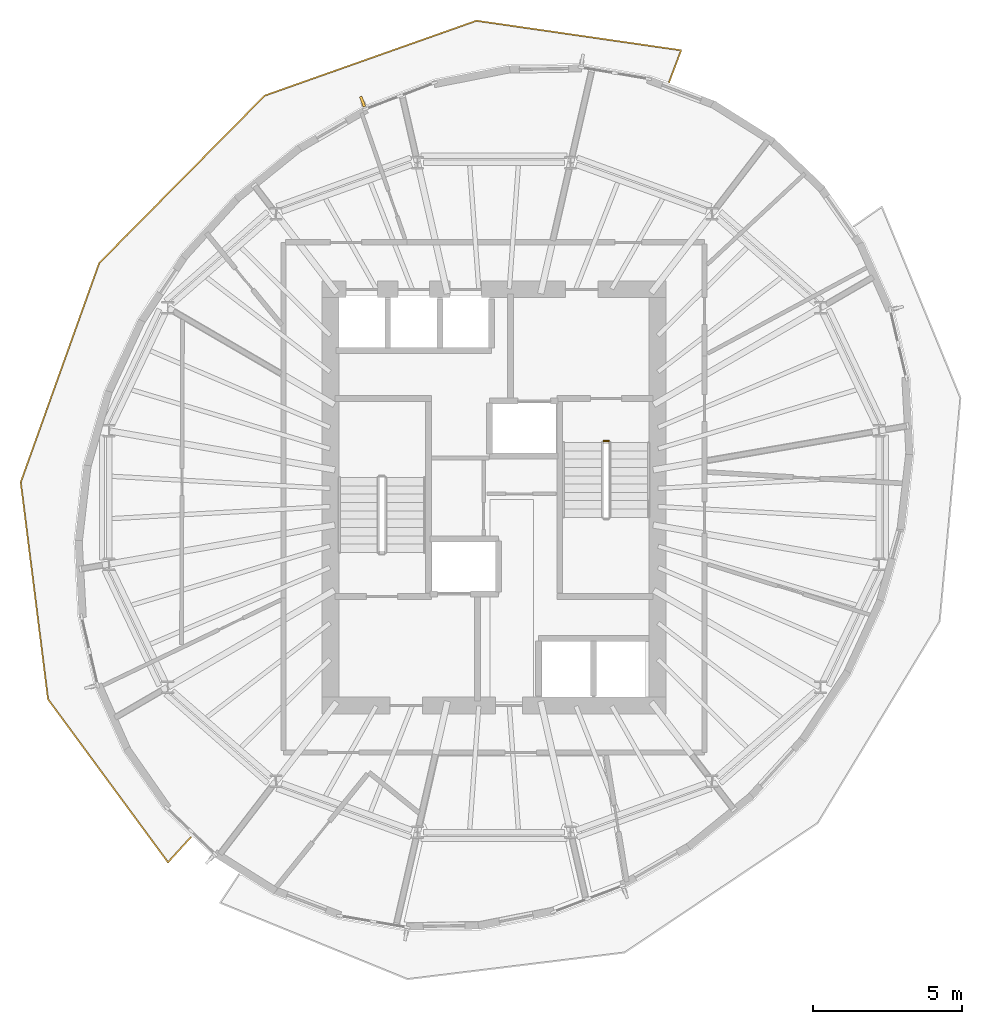
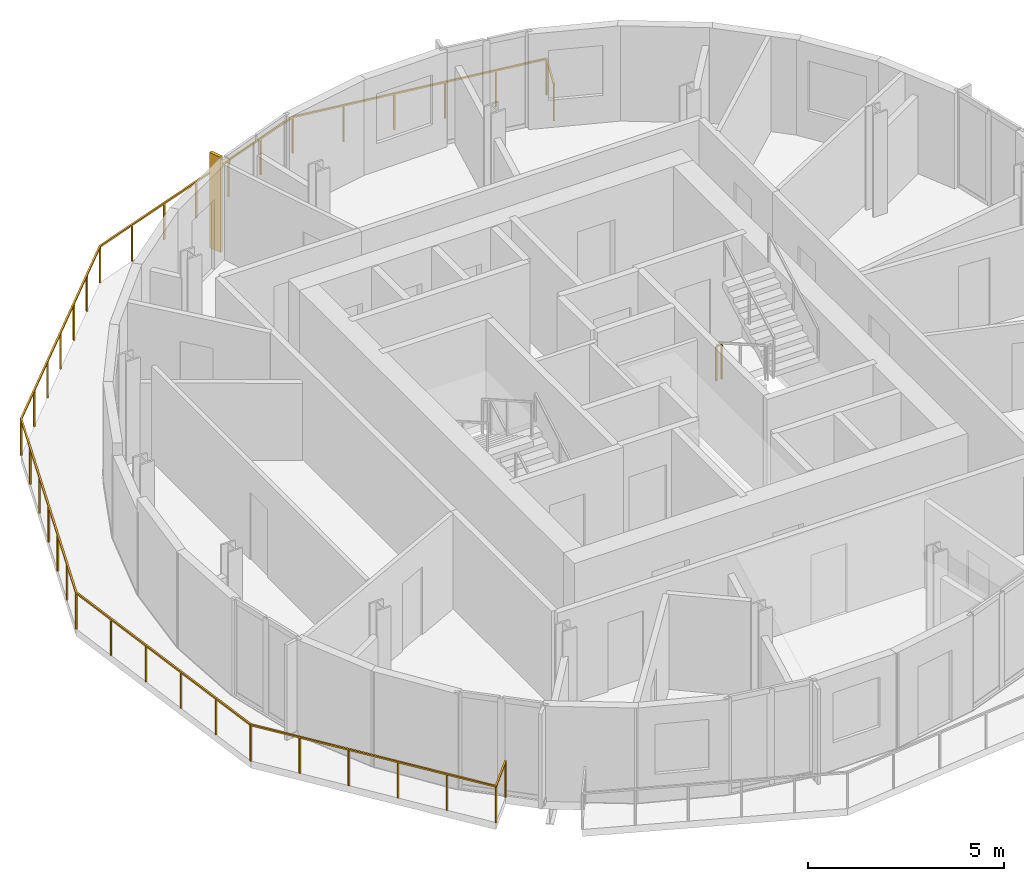
# One storey, part 10 of 11: 2 railings, 1 shading device.
"""IFC4 building model written with IfcOpenShell, lengths in metres."""

import ifcopenshell
import ifcopenshell.guid

model = None  # the IFC model being written
_history = None  # IfcOwnerHistory: only IFC2X3 demands one
_inside = {}  # id of a spatial element -> (the spatial element, [elements in it])
_under = {}  # id of a project, library or spatial element -> (it, [spatial elements below it])
_declared = {}  # id of a project -> (the project, [libraries it declares])
_typed = {}  # id of a type object -> (the type object, [elements of that type])
_made_of = {}  # id of a material, layer set ... -> (it, [elements and type objects made of it])


def new_model(schema):
    """Start an empty IFC model of exactly this schema.

    Asked for "IFC4X3", IfcOpenShell would pick the latest addendum, in which some entities
    have other attributes; the version numbers below select the first issue.
    IFC2X3 requires an IfcOwnerHistory on every rooted entity: one is made here for all.
    """
    global model, _history
    if schema == "IFC4X3":
        model = ifcopenshell.file(schema_version=(4, 3, 0, 0))
    else:
        model = ifcopenshell.file(schema=schema)
    _inside.clear()
    _under.clear()
    _declared.clear()
    _typed.clear()
    _made_of.clear()
    _history = None
    if model.schema == "IFC2X3":
        org = make("IfcOrganization", Name="unknown")
        user = make(
            "IfcPersonAndOrganization",
            ThePerson=make("IfcPerson", FamilyName="unknown"),
            TheOrganization=org,
        )
        app = make(
            "IfcApplication",
            ApplicationDeveloper=org,
            Version="unknown",
            ApplicationFullName="unknown",
            ApplicationIdentifier="unknown",
        )
        _history = make(
            "IfcOwnerHistory",
            OwningUser=user,
            OwningApplication=app,
            ChangeAction="ADDED",
            CreationDate=0,
        )
    return model


def make(cls, **values):
    """One entity of the class cls with the attributes given. An attribute that is None is left unset."""
    return model.create_entity(
        cls, **{name: value for name, value in values.items() if value is not None}
    )


def rooted(cls, **values):
    """An entity with a GlobalId (a new one), such as an element, a storey or a relation."""
    return make(cls, GlobalId=ifcopenshell.guid.new(), OwnerHistory=_history, **values)


def si_unit(unit_type, name, prefix=None):
    """IfcSIUnit, for example si_unit("LENGTHUNIT", "METRE", prefix="MILLI")."""
    return make("IfcSIUnit", UnitType=unit_type, Prefix=prefix, Name=name)


def assignment(units):
    """IfcUnitAssignment: the units of a project."""
    return None if units is None else make("IfcUnitAssignment", Units=units)


def point(xyz):
    """IfcCartesianPoint."""
    return None if xyz is None else make("IfcCartesianPoint", Coordinates=xyz)


def direction(xyz):
    """IfcDirection."""
    return None if xyz is None else make("IfcDirection", DirectionRatios=xyz)


def frame(location, z_axis=None, x_axis=None):
    """IfcAxis2Placement3D, a coordinate frame: its origin and axes. An axis left out is left unset."""
    return make(
        "IfcAxis2Placement3D",
        Location=point(location),
        Axis=direction(z_axis),
        RefDirection=direction(x_axis),
    )


def frame_2d(location, x_axis=None):
    """IfcAxis2Placement2D, a coordinate frame in the plane: its origin and x axis."""
    return make(
        "IfcAxis2Placement2D", Location=point(location), RefDirection=direction(x_axis)
    )


def origin():
    """The frame at (0, 0, 0) with its axes left unset."""
    return frame((0.0, 0.0, 0.0))


def origin_2d():
    """The frame at (0, 0) in the plane with its x axis left unset."""
    return frame_2d((0.0, 0.0))


def place(relative_to, where):
    """IfcLocalPlacement: puts the frame where relative to a parent placement (None: the world)."""
    return make(
        "IfcLocalPlacement", PlacementRelTo=relative_to, RelativePlacement=where
    )


def context(
    kind, dimensions, precision=None, world=None, true_north=None, identifier=None
):
    """IfcGeometricRepresentationContext, for example the 3D "Model" context."""
    return make(
        "IfcGeometricRepresentationContext",
        ContextIdentifier=identifier,
        ContextType=kind,
        CoordinateSpaceDimension=dimensions,
        Precision=precision,
        WorldCoordinateSystem=world,
        TrueNorth=true_north,
    )


def subcontext(parent, identifier, kind, view, scale=None):
    """IfcGeometricRepresentationSubContext, for example "Body" below "Model"."""
    return make(
        "IfcGeometricRepresentationSubContext",
        ContextIdentifier=identifier,
        ContextType=kind,
        ParentContext=parent,
        TargetScale=scale,
        TargetView=view,
    )


def project(units=None, contexts=None):
    """IfcProject with its units and contexts."""
    return rooted(
        "IfcProject",
        Name="project",
        RepresentationContexts=contexts,
        UnitsInContext=assignment(units),
    )


def spatial(cls, under=None, at=None, **own):
    """A site, building, storey or space (cls), placed at a placement, below another one or the project."""
    s = rooted(cls, ObjectPlacement=at, **own)
    if under is not None:
        _under.setdefault(under.id(), (under, []))[1].append(s)
    return s


def profile(cls, at=None, kind="AREA", **sizes):
    """A parametric profile (cls). Its sizes go by their IFC names, for example OverallWidth=200.0."""
    return make(cls, ProfileType=kind, Position=at, **sizes)


def rectangle(**sizes):
    """IfcRectangleProfileDef."""
    return profile("IfcRectangleProfileDef", **sizes)


def extrude(swept, where, along, depth):
    """IfcExtrudedAreaSolid: the profile swept, set in the frame where, extruded along a direction by depth."""
    return make(
        "IfcExtrudedAreaSolid",
        SweptArea=swept,
        Position=where,
        ExtrudedDirection=direction(along),
        Depth=depth,
    )


def shape(context_of_items, identifier, shape_type, items):
    """IfcShapeRepresentation: the items that make up one representation, for example the "Body"."""
    return make(
        "IfcShapeRepresentation",
        ContextOfItems=context_of_items,
        RepresentationIdentifier=identifier,
        RepresentationType=shape_type,
        Items=items,
    )


def material(Name=None, Category=None):
    """IfcMaterial."""
    return make("IfcMaterial", Name=Name, Category=Category)


def layer(
    of_material, thickness, ventilated=None, Name=None, Category=None, Priority=None
):
    """IfcMaterialLayer: one layer of a wall or slab, of a material (None: an air gap)."""
    return make(
        "IfcMaterialLayer",
        Material=of_material,
        LayerThickness=thickness,
        IsVentilated=ventilated,
        Name=Name,
        Category=Category,
        Priority=Priority,
    )


def layer_set(layers, Name=None):
    """IfcMaterialLayerSet."""
    return make("IfcMaterialLayerSet", MaterialLayers=layers, LayerSetName=Name)


def made_of(thing, what):
    """Note that an element or type object is made of a material, layer set ...; save() writes the relation."""
    if what is not None:
        _made_of.setdefault(what.id(), (what, []))[1].append(thing)
    return thing


def type_object(cls, material=None, **own):
    """A type object (cls), such as IfcWallType, which elements share."""
    return made_of(rooted(cls, **own), material)


def element(
    cls,
    number,
    at=None,
    inside=None,
    cuts=None,
    type_object=None,
    material=None,
    context=None,
    identifier="Body",
    shape_type=None,
    held_by="IfcProductDefinitionShape",
    body=None,
    shapes=None,
    **own,
):
    """One element of the class cls, such as IfcWall. Its Tag is "e" and its number.

    at: its placement. inside: the storey or other place that contains it. cuts: it is an
    opening in that element (IfcRelVoidsElement). A single representation is given by context,
    identifier, shape_type and body (its items); several are given by shapes. held_by: the class
    of the entity that holds the representations. save() writes the other relations.
    """
    e = rooted(cls, Tag="e%d" % number, ObjectPlacement=at, **own)
    if body is not None:
        shapes = [shape(context, identifier, shape_type, body)]
    if shapes is not None:
        e.Representation = make(held_by, Representations=shapes)
    if inside is not None:
        _inside.setdefault(inside.id(), (inside, []))[1].append(e)
    if cuts is not None:
        rooted(
            "IfcRelVoidsElement", RelatingBuildingElement=cuts, RelatedOpeningElement=e
        )
    if type_object is not None:
        _typed.setdefault(type_object.id(), (type_object, []))[1].append(e)
    return made_of(e, material)


def aggregate(whole, parts):
    """IfcRelAggregates: a whole, such as a stair, and the parts it consists of."""
    return rooted("IfcRelAggregates", RelatingObject=whole, RelatedObjects=parts)


def save(model, path):
    """Write the relations noted so far, then the file.

    IfcRelAggregates (storeys below a building ...), IfcRelContainedInSpatialStructure (elements
    in a storey), IfcRelDefinesByType, IfcRelAssociatesMaterial and IfcRelDeclares: one each for
    every whole, place, type object, material and project.
    """
    for whole, parts in _under.values():
        aggregate(whole, parts)
    for where, things in _inside.values():
        rooted(
            "IfcRelContainedInSpatialStructure",
            RelatedElements=things,
            RelatingStructure=where,
        )
    for kind, things in _typed.values():
        rooted("IfcRelDefinesByType", RelatedObjects=things, RelatingType=kind)
    for what, things in _made_of.values():
        rooted("IfcRelAssociatesMaterial", RelatedObjects=things, RelatingMaterial=what)
    for by, libraries in _declared.values():
        rooted("IfcRelDeclares", RelatingContext=by, RelatedDefinitions=libraries)
    model.write(path)


model = new_model("IFC4")

# Units and contexts
model_context = context("Model", 3, precision=1e-05, world=origin(), true_north=direction((0.0, 1.0)))
body_context = subcontext(model_context, "Body", "Model", "MODEL_VIEW")
ifc_project = project(units=[si_unit("LENGTHUNIT", "METRE"), si_unit("AREAUNIT", "SQUARE_METRE"), si_unit("VOLUMEUNIT", "CUBIC_METRE"), si_unit("PLANEANGLEUNIT", "RADIAN"), si_unit("MASSUNIT", "GRAM", prefix="KILO")], contexts=[model_context])

# Site, building, storey
site_placement = place(None, origin())
site = spatial("IfcSite", under=ifc_project, at=site_placement, CompositionType="ELEMENT")
building_placement = place(site_placement, origin())
building = spatial("IfcBuilding", under=site, at=building_placement, Name="Veldorim Arch Residences", CompositionType="ELEMENT")
storey_placement = place(building_placement, frame((0.0, 0.0, 207.840087890625)))
storey = spatial("IfcBuildingStorey", under=building, at=storey_placement, Name="L62", CompositionType="ELEMENT", Elevation=207.840087890625)

# Railings
ifc_material_1 = material(Name="Aluminium", Category="aluminium")
railing_type_1 = type_object("IfcRailingType", Name="Balcony & Terrace Laminated Glass Balustrade 1150", PredefinedType="BALUSTRADE", material=ifc_material_1)
railing_1_placement = place(storey_placement, frame((37.8857421875, 37.966064453125, 0.0)))
element("IfcRailing", 1, at=railing_1_placement, inside=storey, type_object=railing_type_1, Name="L62 crescent balcony safety balustrade A", PredefinedType="BALUSTRADE", context=body_context, shape_type="SweptSolid", body=[
    extrude(rectangle(XDim=0.048095703125, YDim=0.048095703125, at=origin_2d()), frame((0.0, 0.0, 1.1259765625), z_axis=(0.353751531155, 0.935339432616, 0.0), x_axis=(-0.935339432616, 0.353751531155, 0.0)), (0.0, 0.0, 1.0), 1.14990234375),
    extrude(rectangle(XDim=0.048095703125, YDim=0.048095703125, at=origin_2d()), frame((0.40673828125, 1.075439453125, 1.1259765625), z_axis=(-0.98971511032, 0.14305243935, 0.0), x_axis=(-0.14305243935, -0.98971511032, 0.0)), (0.0, 0.0, 1.0), 6.956298828125),
    extrude(rectangle(XDim=0.048095703125, YDim=0.048095703125, at=origin_2d()), frame((-6.47802734375, 2.070556640625, 1.1259765625), z_axis=(-0.942767602072, -0.333450518793, 0.0), x_axis=(0.333450518793, -0.942767602072, 0.0)), (0.0, 0.0, 1.0), 7.55517578125),
    extrude(rectangle(XDim=0.048095703125, YDim=0.048095703125, at=origin_2d()), frame((-13.600830078125, -0.44873046875, 1.1259765625), z_axis=(-0.702994630596, -0.711195155603, 0.0), x_axis=(0.711195155603, -0.702994630596, 0.0)), (0.0, 0.0, 1.0), 7.919189453125),
    extrude(rectangle(XDim=0.048095703125, YDim=0.048095703125, at=origin_2d()), frame((-19.16796875, -6.080810546875, 1.1259765625), z_axis=(-0.337025527317, -0.941495509249, 0.0), x_axis=(0.941495509249, -0.337025527317, 0.0)), (0.0, 0.0, 1.0), 7.83154296875),
    extrude(rectangle(XDim=0.048095703125, YDim=0.048095703125, at=origin_2d()), frame((-21.807373046875, -13.4541015625, 1.1259765625), z_axis=(0.124876063506, -0.992172348316, 0.0), x_axis=(0.992172348316, 0.124876063506, 0.0)), (0.0, 0.0, 1.0), 7.35693359375),
    extrude(rectangle(XDim=0.048095703125, YDim=0.048095703125, at=origin_2d()), frame((-20.888671875, -20.75341796875, 1.1259765625), z_axis=(0.592614255681, -0.805486402098, 0.0), x_axis=(0.805486402098, 0.592614255681, 0.0)), (0.0, 0.0, 1.0), 6.80908203125),
    extrude(rectangle(XDim=0.048095703125, YDim=0.048095703125, at=origin_2d()), frame((-16.853515625, -26.238037109375, 1.1259765625), z_axis=(0.67321153756, 0.739449948067, 0.0), x_axis=(-0.739449948067, 0.67321153756, 0.0)), (0.0, 0.0, 1.0), 1.14990234375),
    extrude(rectangle(XDim=0.0419921875, YDim=0.0419921875, at=origin_2d()), origin(), (0.0, 0.0, 1.0), 1.101806640625),
    extrude(rectangle(XDim=0.0419921875, YDim=0.0419921875, at=origin_2d()), frame((0.40673828125, 1.075439453125, 0.0)), (0.0, 0.0, 1.0), 1.101806640625),
    extrude(rectangle(XDim=0.0419921875, YDim=0.0419921875, at=origin_2d()), frame((-0.97021484375, 1.2744140625, 0.0)), (0.0, 0.0, 1.0), 1.101806640625),
    extrude(rectangle(XDim=0.0419921875, YDim=0.0419921875, at=origin_2d()), frame((-2.34716796875, 1.473388671875, 0.0)), (0.0, 0.0, 1.0), 1.101806640625),
    extrude(rectangle(XDim=0.0419921875, YDim=0.0419921875, at=origin_2d()), frame((-3.72412109375, 1.672607421875, 0.0)), (0.0, 0.0, 1.0), 1.101806640625),
    extrude(rectangle(XDim=0.0419921875, YDim=0.0419921875, at=origin_2d()), frame((-5.10107421875, 1.87158203125, 0.0)), (0.0, 0.0, 1.0), 1.101806640625),
    extrude(rectangle(XDim=0.0419921875, YDim=0.0419921875, at=origin_2d()), frame((-6.47802734375, 2.070556640625, 0.0)), (0.0, 0.0, 1.0), 1.101806640625),
    extrude(rectangle(XDim=0.0419921875, YDim=0.0419921875, at=origin_2d()), frame((-7.6650390625, 1.650634765625, 0.0)), (0.0, 0.0, 1.0), 1.101806640625),
    extrude(rectangle(XDim=0.0419921875, YDim=0.0419921875, at=origin_2d()), frame((-8.852294921875, 1.230712890625, 0.0)), (0.0, 0.0, 1.0), 1.101806640625),
    extrude(rectangle(XDim=0.0419921875, YDim=0.0419921875, at=origin_2d()), frame((-10.03955078125, 0.81103515625, 0.0)), (0.0, 0.0, 1.0), 1.101806640625),
    extrude(rectangle(XDim=0.0419921875, YDim=0.0419921875, at=origin_2d()), frame((-11.2265625, 0.39111328125, 0.0)), (0.0, 0.0, 1.0), 1.101806640625),
    extrude(rectangle(XDim=0.0419921875, YDim=0.0419921875, at=origin_2d()), frame((-12.41357421875, -0.02880859375, 0.0)), (0.0, 0.0, 1.0), 1.101806640625),
    extrude(rectangle(XDim=0.0419921875, YDim=0.0419921875, at=origin_2d()), frame((-13.600830078125, -0.44873046875, 0.0)), (0.0, 0.0, 1.0), 1.101806640625),
    extrude(rectangle(XDim=0.0419921875, YDim=0.0419921875, at=origin_2d()), frame((-14.52880859375, -1.387451171875, 0.0)), (0.0, 0.0, 1.0), 1.101806640625),
    extrude(rectangle(XDim=0.0419921875, YDim=0.0419921875, at=origin_2d()), frame((-15.45654296875, -2.326171875, 0.0)), (0.0, 0.0, 1.0), 1.101806640625),
    extrude(rectangle(XDim=0.0419921875, YDim=0.0419921875, at=origin_2d()), frame((-16.38427734375, -3.2646484375, 0.0)), (0.0, 0.0, 1.0), 1.101806640625),
    extrude(rectangle(XDim=0.0419921875, YDim=0.0419921875, at=origin_2d()), frame((-17.312255859375, -4.203369140625, 0.0)), (0.0, 0.0, 1.0), 1.101806640625),
    extrude(rectangle(XDim=0.0419921875, YDim=0.0419921875, at=origin_2d()), frame((-18.240234375, -5.14208984375, 0.0)), (0.0, 0.0, 1.0), 1.101806640625),
    extrude(rectangle(XDim=0.0419921875, YDim=0.0419921875, at=origin_2d()), frame((-19.16796875, -6.080810546875, 0.0)), (0.0, 0.0, 1.0), 1.101806640625),
    extrude(rectangle(XDim=0.0419921875, YDim=0.0419921875, at=origin_2d()), frame((-19.60791015625, -7.3095703125, 0.0)), (0.0, 0.0, 1.0), 1.101806640625),
    extrude(rectangle(XDim=0.0419921875, YDim=0.0419921875, at=origin_2d()), frame((-20.0478515625, -8.53857421875, 0.0)), (0.0, 0.0, 1.0), 1.101806640625),
    extrude(rectangle(XDim=0.0419921875, YDim=0.0419921875, at=origin_2d()), frame((-20.48779296875, -9.767578125, 0.0)), (0.0, 0.0, 1.0), 1.101806640625),
    extrude(rectangle(XDim=0.0419921875, YDim=0.0419921875, at=origin_2d()), frame((-20.927490234375, -10.996337890625, 0.0)), (0.0, 0.0, 1.0), 1.101806640625),
    extrude(rectangle(XDim=0.0419921875, YDim=0.0419921875, at=origin_2d()), frame((-21.367431640625, -12.22509765625, 0.0)), (0.0, 0.0, 1.0), 1.101806640625),
    extrude(rectangle(XDim=0.0419921875, YDim=0.0419921875, at=origin_2d()), frame((-21.807373046875, -13.4541015625, 0.0)), (0.0, 0.0, 1.0), 1.101806640625),
    extrude(rectangle(XDim=0.0419921875, YDim=0.0419921875, at=origin_2d()), frame((-21.62353515625, -14.9140625, 0.0)), (0.0, 0.0, 1.0), 1.101806640625),
    extrude(rectangle(XDim=0.0419921875, YDim=0.0419921875, at=origin_2d()), frame((-21.43994140625, -16.373779296875, 0.0)), (0.0, 0.0, 1.0), 1.101806640625),
    extrude(rectangle(XDim=0.0419921875, YDim=0.0419921875, at=origin_2d()), frame((-21.256103515625, -17.833740234375, 0.0)), (0.0, 0.0, 1.0), 1.101806640625),
    extrude(rectangle(XDim=0.0419921875, YDim=0.0419921875, at=origin_2d()), frame((-21.072509765625, -19.29345703125, 0.0)), (0.0, 0.0, 1.0), 1.101806640625),
    extrude(rectangle(XDim=0.0419921875, YDim=0.0419921875, at=origin_2d()), frame((-20.888671875, -20.75341796875, 0.0)), (0.0, 0.0, 1.0), 1.101806640625),
    extrude(rectangle(XDim=0.0419921875, YDim=0.0419921875, at=origin_2d()), frame((-20.08154296875, -21.850341796875, 0.0)), (0.0, 0.0, 1.0), 1.101806640625),
    extrude(rectangle(XDim=0.0419921875, YDim=0.0419921875, at=origin_2d()), frame((-19.274658203125, -22.947265625, 0.0)), (0.0, 0.0, 1.0), 1.101806640625),
    extrude(rectangle(XDim=0.0419921875, YDim=0.0419921875, at=origin_2d()), frame((-18.467529296875, -24.044189453125, 0.0)), (0.0, 0.0, 1.0), 1.101806640625),
    extrude(rectangle(XDim=0.0419921875, YDim=0.0419921875, at=origin_2d()), frame((-17.66064453125, -25.14111328125, 0.0)), (0.0, 0.0, 1.0), 1.101806640625),
    extrude(rectangle(XDim=0.0419921875, YDim=0.0419921875, at=origin_2d()), frame((-16.853515625, -26.238037109375, 0.0)), (0.0, 0.0, 1.0), 1.101806640625),
    extrude(rectangle(XDim=0.0419921875, YDim=0.0419921875, at=origin_2d()), frame((-16.079345703125, -25.3876953125, 0.0)), (0.0, 0.0, 1.0), 1.101806640625),
])
ifc_material_2 = material(Name="Steel S355", Category="steel")
railing_type_2 = type_object("IfcRailingType", Name="Galvanised Steel Stair Safety Guardrail 1100", PredefinedType="GUARDRAIL", material=ifc_material_2)
railing_2_placement = place(storey_placement, frame((35.68994140625, 25.89990234375, 0.0)))
element("IfcRailing", 2, at=railing_2_placement, inside=storey, type_object=railing_type_2, Name="L62 ST-2 stair guard 4", PredefinedType="GUARDRAIL", context=body_context, shape_type="SweptSolid", body=[
    extrude(rectangle(XDim=0.048095703125, YDim=0.048095703125, at=origin_2d()), frame((0.0, 0.0, 1.076171875), z_axis=(1.0, 0.0, 0.0), x_axis=(0.0, 1.0, 0.0)), (0.0, 0.0, 1.0), 0.16015625),
    extrude(rectangle(XDim=0.0419921875, YDim=0.0419921875, at=origin_2d()), origin(), (0.0, 0.0, 1.0), 1.052001953125),
    extrude(rectangle(XDim=0.0419921875, YDim=0.0419921875, at=origin_2d()), frame((0.16015625, 0.0, 0.0)), (0.0, 0.0, 1.0), 1.052001953125),
])

# Shading device
ifc_material_3 = material(Name="Terracotta Ceramic", Category="masonry")
ifc_layer = layer(ifc_material_3, 0.090087890625, Name="Vertical Extruded Terracotta Baguette Sun-Shading Fin")
ifc_layer_set = layer_set([ifc_layer], Name="Terracotta Ceramic")
shading_device_type = type_object("IfcShadingDeviceType", Name="Vertical Extruded Terracotta Baguette Sun-Shading Fin", PredefinedType="USERDEFINED", material=ifc_layer_set)
shading_device_placement = place(storey_placement, frame((27.577880859375, 37.31591796875, 0.0), z_axis=(0.0, 0.0, 1.0), x_axis=(0.935135209686, 0.354291037998, 0.0)))
element("IfcShadingDevice", 3, at=shading_device_placement, inside=storey, type_object=shading_device_type, Name="L62 vertical terracotta sun-shading fin 06", ObjectType="FIN", PredefinedType="USERDEFINED", context=body_context, shape_type="SweptSolid", body=[
    extrude(rectangle(XDim=0.090087890625, YDim=0.360107421875, at=origin_2d()), origin(), (0.0, 0.0, 1.0), 2.9599609375),
])

save(model, "model.ifc")
